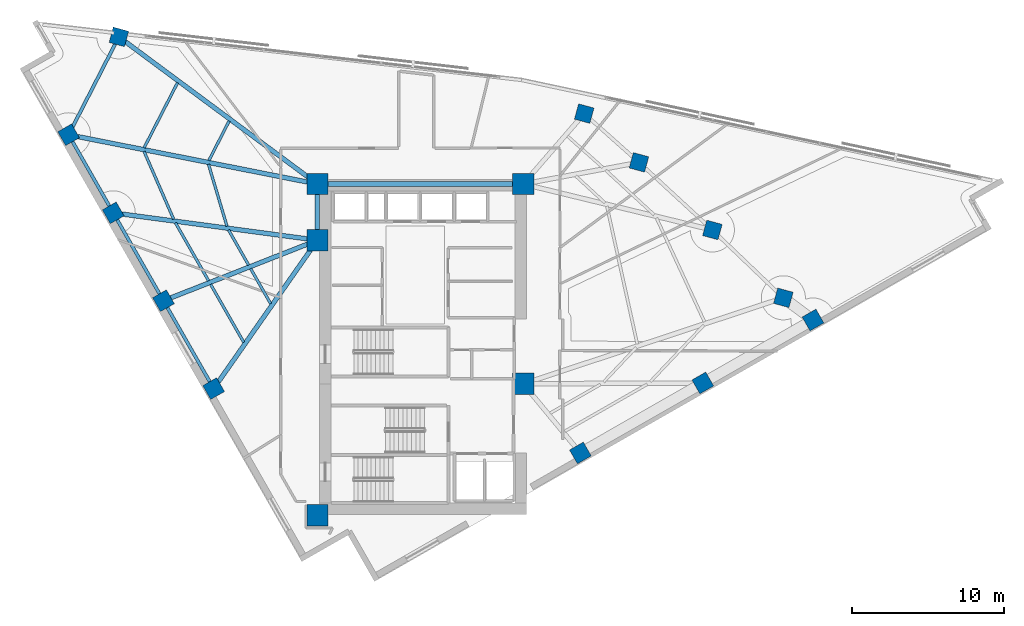
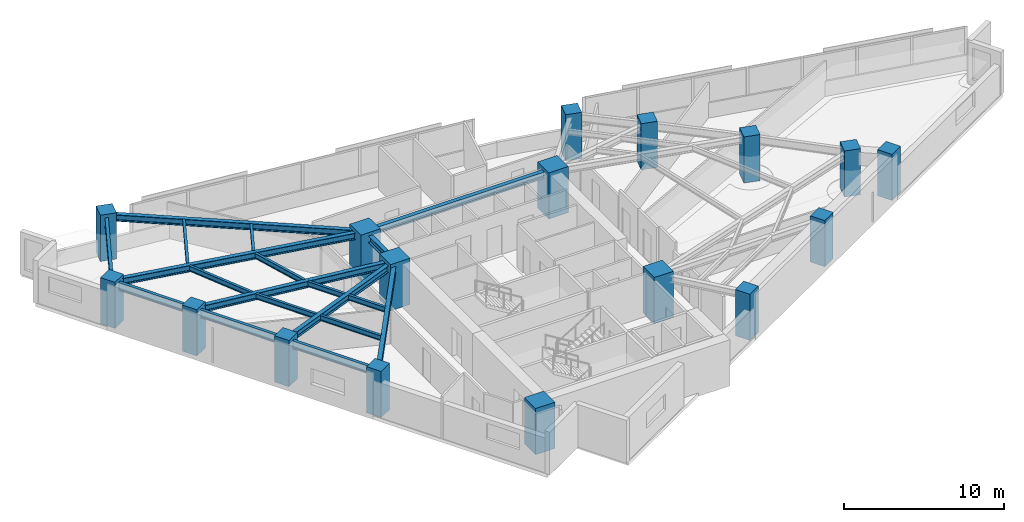
# One storey, part 1 of 14: 19 beams, 17 columns.
"""IFC4 building model written with IfcOpenShell, lengths in metres."""

from ifc_helpers import new_model, si_unit, direction, frame, origin, origin_2d, place, context, subcontext, project, spatial, rectangle, i_section, extrude, material, material_profile, profile_set, type_object, element, save


model = new_model("IFC4")

# Units and contexts
model_context = context("Model", 3, precision=1e-05, world=origin(), true_north=direction((0.0, 1.0)))
body_context = subcontext(model_context, "Body", "Model", "MODEL_VIEW")
ifc_project = project(units=[si_unit("LENGTHUNIT", "METRE"), si_unit("AREAUNIT", "SQUARE_METRE"), si_unit("VOLUMEUNIT", "CUBIC_METRE"), si_unit("PLANEANGLEUNIT", "RADIAN"), si_unit("MASSUNIT", "GRAM", prefix="KILO")], contexts=[model_context])

# Site, building, storey
site_placement = place(None, origin())
site = spatial("IfcSite", under=ifc_project, at=site_placement, CompositionType="ELEMENT")
building_placement = place(site_placement, origin())
building = spatial("IfcBuilding", under=site, at=building_placement, Name="Narakoshi Arena Tower", CompositionType="ELEMENT")
storey_placement = place(building_placement, frame((0.0, 0.0, 204.419921875)))
storey = spatial("IfcBuildingStorey", under=building, at=storey_placement, Name="L55", CompositionType="ELEMENT", Elevation=204.419921875)

# Columns
ifc_material_1 = material(Name="Concrete C50/60", Category="concrete")
ifc_material_profile_1 = material_profile(ifc_material_1, rectangle(XDim=1.050048828125, YDim=1.050048828125, at=origin_2d()), Name="RC1050x1050")
ifc_profile_set_1 = profile_set([ifc_material_profile_1], Name="Concrete C50/60")
column_type_1 = type_object("IfcColumnType", Name="COL-RC1050", PredefinedType="COLUMN", material=ifc_profile_set_1)
for number, where, z_axis, x_axis, name in (
    (1, (89.30810546875, 38.798583984375, 0.0), (0.0, 0.0, 1.0), (0.868198814489, 0.496216503675, 0.0), "L55 Tower Perimeter Column TC01"),
    (2, (97.366943359375, 43.404541015625, 0.0), (0.0, 0.0, 1.0), (0.868198814489, 0.496216503675, 0.0), "L55 Tower Perimeter Column TC02"),
    (3, (104.619873046875, 47.550048828125, 0.0), (0.0, 0.0, 1.0), (0.868198814489, 0.496216503675, 0.0), "L55 Tower Perimeter Column TC03"),
    (4, (102.668701171875, 49.009521484375, 0.0), (0.0, 0.0, 1.0), (0.263031214458, 0.964787323829, 0.0), "L55 Tower Perimeter Column TC05"),
    (5, (97.997802734375, 53.47509765625, 0.0), (0.0, 0.0, 1.0), (0.263031214458, 0.964787323829, 0.0), "L55 Tower Perimeter Column TC06"),
    (6, (93.16650390625, 57.923828125, 0.0), (0.0, 0.0, 1.0), (0.263031214458, 0.964787323829, 0.0), "L55 Tower Perimeter Column TC07"),
    (7, (89.5615234375, 61.134765625, 0.0), (0.0, 0.0, 1.0), (0.263031214458, 0.964787323829, 0.0), "L55 Tower Perimeter Column TC08"),
    (8, (58.934326171875, 66.183837890625, 0.0), (0.0, 0.0, 1.0), (0.263031214458, 0.964787323829, 0.0), "L55 Tower Perimeter Column TC10"),
    (9, (55.624755859375, 59.74169921875, 0.0), (0.0, 0.0, 1.0), (-0.496216503675, 0.868198814489, 0.0), "L55 Tower Perimeter Column TC13"),
    (10, (58.562744140625, 54.60107421875, 0.0), (0.0, 0.0, 1.0), (-0.496216503675, 0.868198814489, 0.0), "L55 Tower Perimeter Column TC14"),
    (11, (61.8681640625, 48.81787109375, 0.0), (0.0, 0.0, 1.0), (-0.496216503675, 0.868198814489, 0.0), "L55 Tower Perimeter Column TC15"),
    (12, (65.17333984375, 43.03466796875, 0.0), (0.0, 0.0, 1.0), (-0.496216503675, 0.868198814489, 0.0), "L55 Tower Perimeter Column TC16"),
):
    element("IfcColumn", number, at=place(storey_placement, frame(where, z_axis=z_axis, x_axis=x_axis)), inside=storey, type_object=column_type_1, Name=name, PredefinedType="COLUMN", context=body_context, shape_type="SweptSolid", body=[
        extrude(rectangle(XDim=1.050048828125, YDim=1.050048828125, at=origin_2d()), origin(), (0.0, 0.0, 1.0), 3.52001953125),
    ])
ifc_material_2 = material(Name="Concrete C60/75", Category="concrete")
ifc_material_profile_2 = material_profile(ifc_material_2, rectangle(XDim=1.39990234375, YDim=1.39990234375, at=origin_2d()), Name="RC1400x1400")
ifc_profile_set_2 = profile_set([ifc_material_profile_2], Name="Concrete C60/75")
column_type_2 = type_object("IfcColumnType", Name="COL-RC1400", PredefinedType="COLUMN", material=ifc_profile_set_2)
for number, where, z_axis, x_axis, name in (
    (13, (72.0, 34.699951171875, 0.0), (0.0, 0.0, 1.0), (1.0, 0.0, 0.0), "L55 Core Structural Column CC1"),
    (14, (85.550048828125, 43.35009765625, 0.0), (0.0, 0.0, 1.0), (1.0, 0.0, 0.0), "L55 Core Structural Column CC3"),
    (15, (72.0, 52.800048828125, 0.0), (0.0, 0.0, 1.0), (1.0, 0.0, 0.0), "L55 Core Structural Column CC4"),
    (16, (72.0, 56.5, 0.0), (0.0, 0.0, 1.0), (1.0, 0.0, 0.0), "L55 Core Structural Column CC5"),
    (17, (85.550048828125, 56.5, 0.0), (0.0, 0.0, 1.0), (1.0, 0.0, 0.0), "L55 Core Structural Column CC6"),
):
    element("IfcColumn", number, at=place(storey_placement, frame(where, z_axis=z_axis, x_axis=x_axis)), inside=storey, type_object=column_type_2, Name=name, PredefinedType="COLUMN", context=body_context, shape_type="SweptSolid", body=[
        extrude(rectangle(XDim=1.39990234375, YDim=1.39990234375, at=origin_2d()), origin(), (0.0, 0.0, 1.0), 3.52001953125),
    ])

# Beams
ifc_material_3 = material(Name="Structural steel S355J2", Category="steel")
ifc_material_profile_3 = material_profile(ifc_material_3, i_section(OverallWidth=0.219970703125, OverallDepth=0.60009765625, WebThickness=0.011962890625, FlangeThickness=0.01904296875, FilletRadius=0.02392578125, at=origin_2d()), Name="IPE600")
ifc_profile_set_3 = profile_set([ifc_material_profile_3], Name="Structural steel S355J2")
beam_type_1 = type_object("IfcBeamType", Name="BM-EDGE-600", PredefinedType="BEAM", material=ifc_profile_set_3)
beam_1_placement = place(storey_placement, frame((58.934326171875, 66.183837890625, 2.9599609375), z_axis=(-0.45696256568, -0.889485926571, 0.0), x_axis=(0.889485926571, -0.45696256568, 0.0)))
element("IfcBeam", 18, at=beam_1_placement, inside=storey, type_object=beam_type_1, Name="L55 Perimeter Edge Girder 08", PredefinedType="BEAM", context=body_context, shape_type="SweptSolid", body=[
    extrude(i_section(OverallWidth=0.219970703125, OverallDepth=0.60009765625, WebThickness=0.011962890625, FlangeThickness=0.01904296875, FilletRadius=0.02392578125, at=origin_2d()), origin(), (0.0, 0.0, 1.0), 7.242431640625),
])
beam_2_placement = place(storey_placement, frame((55.624755859375, 59.74169921875, 2.9599609375), z_axis=(0.496201104161, -0.868207615856, 0.0), x_axis=(0.868207615856, 0.496201104161, 0.0)))
element("IfcBeam", 19, at=beam_2_placement, inside=storey, type_object=beam_type_1, Name="L55 Perimeter Edge Girder 09", PredefinedType="BEAM", context=body_context, shape_type="SweptSolid", body=[
    extrude(i_section(OverallWidth=0.219970703125, OverallDepth=0.60009765625, WebThickness=0.011962890625, FlangeThickness=0.01904296875, FilletRadius=0.02392578125, at=origin_2d()), origin(), (0.0, 0.0, 1.0), 5.9208984375),
])
for number, where, z_axis, x_axis, name in (
    (20, (58.562744140625, 54.60107421875, 2.9599609375), (0.496221824399, -0.868195773423, 0.0), (0.868195773423, 0.496221824399, 0.0), "L55 Perimeter Edge Girder 10"),
    (21, (61.8681640625, 48.81787109375, 2.9599609375), (0.496194197226, -0.868211563295, 0.0), (0.868211563295, 0.496194197226, 0.0), "L55 Perimeter Edge Girder 11"),
):
    element("IfcBeam", number, at=place(storey_placement, frame(where, z_axis=z_axis, x_axis=x_axis)), inside=storey, type_object=beam_type_1, Name=name, PredefinedType="BEAM", context=body_context, shape_type="SweptSolid", body=[
        extrude(i_section(OverallWidth=0.219970703125, OverallDepth=0.60009765625, WebThickness=0.011962890625, FlangeThickness=0.01904296875, FilletRadius=0.02392578125, at=origin_2d()), origin(), (0.0, 0.0, 1.0), 6.6611328125),
    ])
ifc_material_profile_4 = material_profile(ifc_material_3, i_section(OverallWidth=0.300048828125, OverallDepth=0.5, WebThickness=0.014404296875, FlangeThickness=0.028076171875, FilletRadius=0.027099609375, at=origin_2d()), Name="HE500B")
ifc_profile_set_4 = profile_set([ifc_material_profile_4], Name="Structural steel S355J2")
beam_type_2 = type_object("IfcBeamType", Name="BM-PRI-500", PredefinedType="BEAM", material=ifc_profile_set_4)
beam_3_placement = place(storey_placement, frame((72.0, 56.5, 3.010009765625), z_axis=(-0.803393614053, 0.595448319252, 0.0), x_axis=(-0.595448319252, -0.803393614053, 0.0)))
element("IfcBeam", 22, at=beam_3_placement, inside=storey, type_object=beam_type_2, Name="L55 Radial Primary Floor Girder 08", PredefinedType="BEAM", context=body_context, shape_type="SweptSolid", body=[
    extrude(i_section(OverallWidth=0.300048828125, OverallDepth=0.5, WebThickness=0.014404296875, FlangeThickness=0.028076171875, FilletRadius=0.027099609375, at=origin_2d()), origin(), (0.0, 0.0, 1.0), 16.26318359375),
])
beam_4_placement = place(storey_placement, frame((72.0, 56.5, 3.010009765625), z_axis=(-0.980962989548, 0.194194781435, 0.0), x_axis=(-0.194194781435, -0.980962989548, 0.0)))
element("IfcBeam", 23, at=beam_4_placement, inside=storey, type_object=beam_type_2, Name="L55 Radial Primary Floor Girder 09", PredefinedType="BEAM", context=body_context, shape_type="SweptSolid", body=[
    extrude(i_section(OverallWidth=0.300048828125, OverallDepth=0.5, WebThickness=0.014404296875, FlangeThickness=0.028076171875, FilletRadius=0.027099609375, at=origin_2d()), origin(), (0.0, 0.0, 1.0), 16.693115234375),
])
beam_5_placement = place(storey_placement, frame((72.0, 52.800048828125, 3.010009765625), z_axis=(-0.991136919777, 0.132844293268, 0.0), x_axis=(-0.132844293268, -0.991136919777, 0.0)))
element("IfcBeam", 24, at=beam_5_placement, inside=storey, type_object=beam_type_2, Name="L55 Radial Primary Floor Girder 10", PredefinedType="BEAM", context=body_context, shape_type="SweptSolid", body=[
    extrude(i_section(OverallWidth=0.300048828125, OverallDepth=0.5, WebThickness=0.014404296875, FlangeThickness=0.028076171875, FilletRadius=0.027099609375, at=origin_2d()), origin(), (0.0, 0.0, 1.0), 13.557373046875),
])
beam_6_placement = place(storey_placement, frame((72.0, 52.800048828125, 3.010009765625), z_axis=(-0.930694784397, -0.365796689838, 0.0), x_axis=(0.365796689838, -0.930694784397, 0.0)))
element("IfcBeam", 25, at=beam_6_placement, inside=storey, type_object=beam_type_2, Name="L55 Radial Primary Floor Girder 11", PredefinedType="BEAM", context=body_context, shape_type="SweptSolid", body=[
    extrude(i_section(OverallWidth=0.300048828125, OverallDepth=0.5, WebThickness=0.014404296875, FlangeThickness=0.028076171875, FilletRadius=0.027099609375, at=origin_2d()), origin(), (0.0, 0.0, 1.0), 10.88623046875),
])
beam_7_placement = place(storey_placement, frame((72.0, 52.800048828125, 3.010009765625), z_axis=(-0.572949287291, -0.819590821198, 0.0), x_axis=(0.819590821198, -0.572949287291, 0.0)))
element("IfcBeam", 26, at=beam_7_placement, inside=storey, type_object=beam_type_2, Name="L55 Radial Primary Floor Girder 12", PredefinedType="BEAM", context=body_context, shape_type="SweptSolid", body=[
    extrude(i_section(OverallWidth=0.300048828125, OverallDepth=0.5, WebThickness=0.014404296875, FlangeThickness=0.028076171875, FilletRadius=0.027099609375, at=origin_2d()), origin(), (0.0, 0.0, 1.0), 11.9150390625),
])
beam_8_placement = place(storey_placement, frame((72.0, 52.800048828125, 3.010009765625), z_axis=(0.0, 1.0, 0.0), x_axis=(-1.0, 0.0, 0.0)))
element("IfcBeam", 27, at=beam_8_placement, inside=storey, type_object=beam_type_2, Name="L55 Core Perimeter Frame Beam CC4-CC5", PredefinedType="BEAM", context=body_context, shape_type="SweptSolid", body=[
    extrude(i_section(OverallWidth=0.300048828125, OverallDepth=0.5, WebThickness=0.014404296875, FlangeThickness=0.028076171875, FilletRadius=0.027099609375, at=origin_2d()), origin(), (0.0, 0.0, 1.0), 3.699951171875),
])
beam_9_placement = place(storey_placement, frame((72.0, 56.5, 3.010009765625), z_axis=(1.0, 0.0, 0.0), x_axis=(0.0, 1.0, 0.0)))
element("IfcBeam", 28, at=beam_9_placement, inside=storey, type_object=beam_type_2, Name="L55 Core Perimeter Frame Beam CC5-CC6", PredefinedType="BEAM", context=body_context, shape_type="SweptSolid", body=[
    extrude(i_section(OverallWidth=0.300048828125, OverallDepth=0.5, WebThickness=0.014404296875, FlangeThickness=0.028076171875, FilletRadius=0.027099609375, at=origin_2d()), origin(), (0.0, 0.0, 1.0), 13.550048828125),
])
ifc_material_profile_5 = material_profile(ifc_material_3, i_section(OverallWidth=0.179931640625, OverallDepth=0.39990234375, WebThickness=0.008544921875, FlangeThickness=0.013427734375, FilletRadius=0.02099609375, at=origin_2d()), Name="IPE400")
ifc_profile_set_5 = profile_set([ifc_material_profile_5], Name="Structural steel S355J2")
beam_type_3 = type_object("IfcBeamType", Name="BM-SEC-400", PredefinedType="JOIST", material=ifc_profile_set_5)
beam_10_placement = place(storey_placement, frame((66.189453125, 60.640869140625, 3.06005859375), z_axis=(-0.456929991759, -0.889502660272, 0.0), x_axis=(0.889502660272, -0.456929991759, 0.0)))
element("IfcBeam", 29, at=beam_10_placement, inside=storey, type_object=beam_type_3, Name="L55 Composite Secondary Floor Joist 10", PredefinedType="JOIST", context=body_context, shape_type="SweptSolid", body=[
    extrude(i_section(OverallWidth=0.179931640625, OverallDepth=0.39990234375, WebThickness=0.008544921875, FlangeThickness=0.013427734375, FilletRadius=0.02099609375, at=origin_2d()), origin(), (0.0, 0.0, 1.0), 2.916748046875),
])
beam_11_placement = place(storey_placement, frame((62.792236328125, 63.15869140625, 3.06005859375), z_axis=(-0.456912378331, -0.889511707921, 0.0), x_axis=(0.889511707921, -0.456912378331, 0.0)))
element("IfcBeam", 30, at=beam_11_placement, inside=storey, type_object=beam_type_3, Name="L55 Composite Secondary Floor Joist 11", PredefinedType="JOIST", context=body_context, shape_type="SweptSolid", body=[
    extrude(i_section(OverallWidth=0.179931640625, OverallDepth=0.39990234375, WebThickness=0.008544921875, FlangeThickness=0.013427734375, FilletRadius=0.02099609375, at=origin_2d()), origin(), (0.0, 0.0, 1.0), 4.7998046875),
])
beam_12_placement = place(storey_placement, frame((64.83349609375, 57.796875, 3.06005859375), z_axis=(0.285841192942, -0.958277001925, 0.0), x_axis=(0.958277001925, 0.285841192942, 0.0)))
element("IfcBeam", 31, at=beam_12_placement, inside=storey, type_object=beam_type_3, Name="L55 Composite Secondary Floor Joist 12", PredefinedType="JOIST", context=body_context, shape_type="SweptSolid", body=[
    extrude(i_section(OverallWidth=0.179931640625, OverallDepth=0.39990234375, WebThickness=0.008544921875, FlangeThickness=0.013427734375, FilletRadius=0.02099609375, at=origin_2d()), origin(), (0.0, 0.0, 1.0), 4.252685546875),
])
beam_13_placement = place(storey_placement, frame((60.59130859375, 58.6455078125, 3.06005859375), z_axis=(0.400253122957, -0.916404625459, 0.0), x_axis=(0.916404625459, 0.400253122957, 0.0)))
element("IfcBeam", 32, at=beam_13_placement, inside=storey, type_object=beam_type_3, Name="L55 Composite Secondary Floor Joist 13", PredefinedType="JOIST", context=body_context, shape_type="SweptSolid", body=[
    extrude(i_section(OverallWidth=0.179931640625, OverallDepth=0.39990234375, WebThickness=0.008544921875, FlangeThickness=0.013427734375, FilletRadius=0.02099609375, at=origin_2d()), origin(), (0.0, 0.0, 1.0), 4.8681640625),
])
beam_14_placement = place(storey_placement, frame((66.154541015625, 53.47509765625, 3.06005859375), z_axis=(0.49628714607, -0.868158435221, 0.0), x_axis=(0.868158435221, 0.49628714607, 0.0)))
element("IfcBeam", 33, at=beam_14_placement, inside=storey, type_object=beam_type_3, Name="L55 Composite Secondary Floor Joist 14", PredefinedType="JOIST", context=body_context, shape_type="SweptSolid", body=[
    extrude(i_section(OverallWidth=0.179931640625, OverallDepth=0.39990234375, WebThickness=0.008544921875, FlangeThickness=0.013427734375, FilletRadius=0.02099609375, at=origin_2d()), origin(), (0.0, 0.0, 1.0), 2.660888671875),
])
beam_15_placement = place(storey_placement, frame((62.660888671875, 53.943603515625, 3.06005859375), z_axis=(0.496228710621, -0.868191837531, 0.0), x_axis=(0.868191837531, 0.496228710621, 0.0)))
element("IfcBeam", 34, at=beam_15_placement, inside=storey, type_object=beam_type_3, Name="L55 Composite Secondary Floor Joist 15", PredefinedType="JOIST", context=body_context, shape_type="SweptSolid", body=[
    extrude(i_section(OverallWidth=0.179931640625, OverallDepth=0.39990234375, WebThickness=0.008544921875, FlangeThickness=0.013427734375, FilletRadius=0.02099609375, at=origin_2d()), origin(), (0.0, 0.0, 1.0), 4.39306640625),
])
beam_16_placement = place(storey_placement, frame((67.60888671875, 50.9306640625, 3.06005859375), z_axis=(0.496217987869, -0.868197966201, 0.0), x_axis=(0.868197966201, 0.496217987869, 0.0)))
element("IfcBeam", 35, at=beam_16_placement, inside=storey, type_object=beam_type_3, Name="L55 Composite Secondary Floor Joist 16", PredefinedType="JOIST", context=body_context, shape_type="SweptSolid", body=[
    extrude(i_section(OverallWidth=0.179931640625, OverallDepth=0.39990234375, WebThickness=0.008544921875, FlangeThickness=0.013427734375, FilletRadius=0.02099609375, at=origin_2d()), origin(), (0.0, 0.0, 1.0), 2.66064453125),
])
beam_17_placement = place(storey_placement, frame((64.974609375, 49.895263671875, 3.06005859375), z_axis=(0.496210762038, -0.86820209608, 0.0), x_axis=(0.86820209608, 0.496210762038, 0.0)))
element("IfcBeam", 36, at=beam_17_placement, inside=storey, type_object=beam_type_3, Name="L55 Composite Secondary Floor Joist 17", PredefinedType="JOIST", context=body_context, shape_type="SweptSolid", body=[
    extrude(i_section(OverallWidth=0.179931640625, OverallDepth=0.39990234375, WebThickness=0.008544921875, FlangeThickness=0.013427734375, FilletRadius=0.02099609375, at=origin_2d()), origin(), (0.0, 0.0, 1.0), 4.392578125),
])

save(model, "model.ifc")
